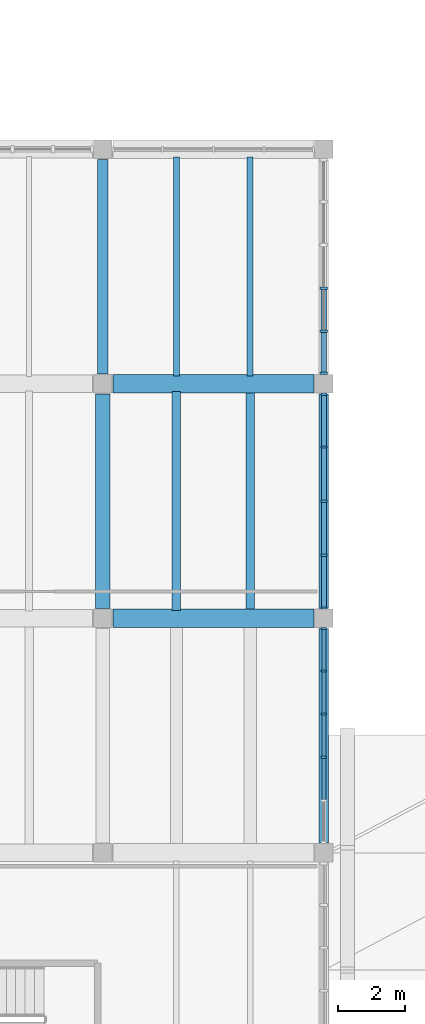
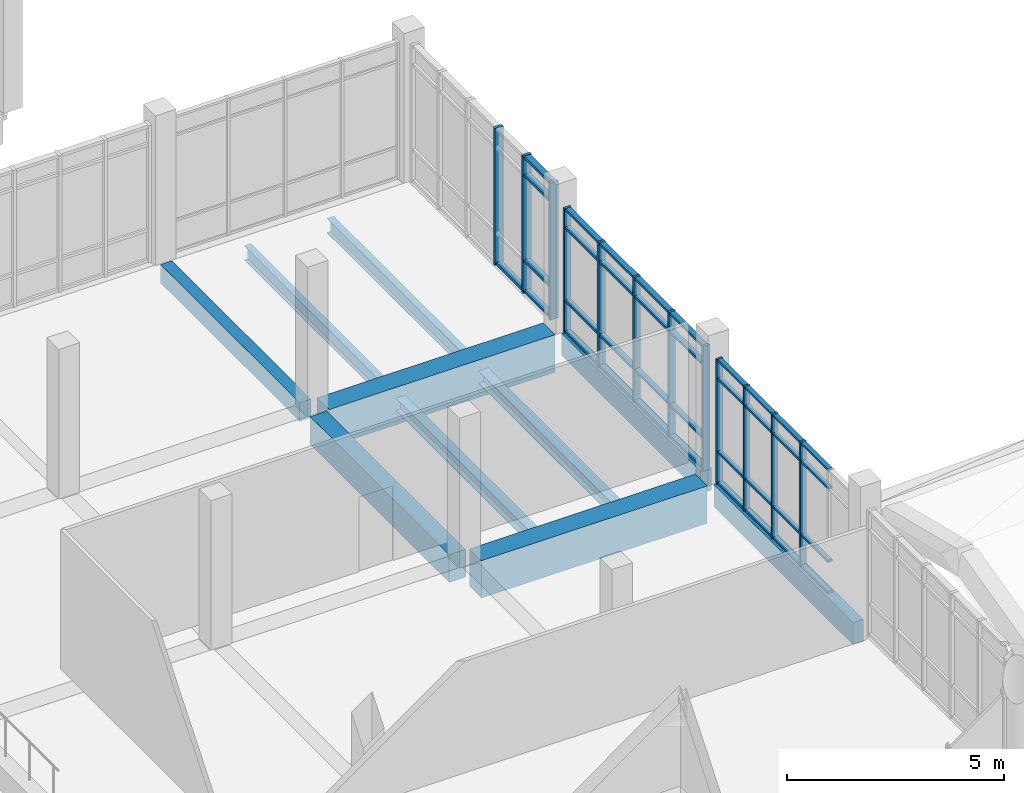
# One storey, part 15 of 65: 49 members, 10 beams, 3 elements without a shape of their own.
"""IFC4 building model written with IfcOpenShell, lengths in metres."""

from ifc_helpers import new_model, si_unit, direction, frame, origin, origin_2d, place, context, subcontext, project, spatial, rectangle, i_section, extrude, material, material_profile, profile_set, type_object, element, aggregate, save


model = new_model("IFC4")

# Units and contexts
model_context = context("Model", 3, precision=1e-05, world=origin(), true_north=direction((0.0, 1.0)))
body_context = subcontext(model_context, "Body", "Model", "MODEL_VIEW")
ifc_project = project(units=[si_unit("LENGTHUNIT", "METRE"), si_unit("AREAUNIT", "SQUARE_METRE"), si_unit("VOLUMEUNIT", "CUBIC_METRE"), si_unit("PLANEANGLEUNIT", "RADIAN"), si_unit("MASSUNIT", "GRAM", prefix="KILO")], contexts=[model_context])

# Site, building, storey
site_placement = place(None, origin())
site = spatial("IfcSite", under=ifc_project, at=site_placement, CompositionType="ELEMENT")
building_placement = place(site_placement, origin())
building = spatial("IfcBuilding", under=site, at=building_placement, Name="Ciguamira Faculty of Natural Sciences", CompositionType="ELEMENT")
storey_placement = place(building_placement, frame((0.0, 0.0, 12.60009765625)))
storey = spatial("IfcBuildingStorey", under=building, at=storey_placement, Name="L03", CompositionType="ELEMENT", Elevation=12.60009765625)

# Curtain wall, members
ifc_material_1 = material(Name="Anodized aluminium curtain wall", Category="aluminium")
curtain_wall_type_1 = type_object("IfcCurtainWallType", Name="CurtainWall_CW-07", PredefinedType="USERDEFINED", material=ifc_material_1)
curtain_wall_1_placement = place(storey_placement, origin())
curtain_wall_1 = element("IfcCurtainWall", 1, at=curtain_wall_1_placement, inside=storey, type_object=curtain_wall_type_1, Name="L03 unitised curtain wall 0103", ObjectType="UNITISED CURTAIN WALL", PredefinedType="USERDEFINED")
ifc_material_2 = material(Name="Anodized aluminium mullion", Category="aluminium")
ifc_material_profile_1 = material_profile(ifc_material_2, rectangle(XDim=0.06005859375, YDim=0.159912109375, at=origin_2d()), Name="ALU-MUL-60X160")
ifc_profile_set_1 = profile_set([ifc_material_profile_1], Name="Anodized aluminium mullion")
member_type_1 = type_object("IfcMemberType", Name="CWMullion_CWM-01", PredefinedType="MULLION", material=ifc_profile_set_1)
member_1_placement = place(storey_placement, frame((123.300048828125, 19.85498046875, 0.0), z_axis=(0.0, 0.0, 1.0), x_axis=(0.0, 1.0, 0.0)))
member_1 = element("IfcMember", 2, at=member_1_placement, type_object=member_type_1, Name="CW-07 mullion 3", PredefinedType="MULLION", context=body_context, shape_type="SweptSolid", body=[
    extrude(rectangle(XDim=0.06005859375, YDim=0.159912109375, at=origin_2d()), origin(), (0.0, 0.0, 1.0), 3.5048828125),
])
member_2_placement = place(storey_placement, frame((123.300048828125, 21.14501953125, 0.0), z_axis=(0.0, 0.0, 1.0), x_axis=(0.0, 1.0, 0.0)))
member_2 = element("IfcMember", 3, at=member_2_placement, type_object=member_type_1, Name="CW-07 mullion 4", PredefinedType="MULLION", context=body_context, shape_type="SweptSolid", body=[
    extrude(rectangle(XDim=0.06005859375, YDim=0.159912109375, at=origin_2d()), origin(), (0.0, 0.0, 1.0), 3.5048828125),
])
member_3_placement = place(storey_placement, frame((123.300048828125, 22.43505859375, 0.0), z_axis=(0.0, 0.0, 1.0), x_axis=(0.0, 1.0, 0.0)))
member_3 = element("IfcMember", 4, at=member_3_placement, type_object=member_type_1, Name="CW-07 mullion 5", PredefinedType="MULLION", context=body_context, shape_type="SweptSolid", body=[
    extrude(rectangle(XDim=0.06005859375, YDim=0.159912109375, at=origin_2d()), origin(), (0.0, 0.0, 1.0), 3.5048828125),
])
member_4_placement = place(storey_placement, frame((123.300048828125, 23.695068359375, 0.0), z_axis=(0.0, 0.0, 1.0), x_axis=(0.0, 1.0, 0.0)))
member_4 = element("IfcMember", 5, at=member_4_placement, type_object=member_type_1, Name="CW-07 mullion 6", PredefinedType="MULLION", context=body_context, shape_type="SweptSolid", body=[
    extrude(rectangle(XDim=0.06005859375, YDim=0.159912109375, at=origin_2d()), origin(), (0.0, 0.0, 1.0), 3.5048828125),
])

curtain_wall_type_2 = type_object("IfcCurtainWallType", Name="CurtainWall_CW-08", PredefinedType="USERDEFINED", material=ifc_material_1)
curtain_wall_2_placement = place(storey_placement, origin())
curtain_wall_2 = element("IfcCurtainWall", 6, at=curtain_wall_2_placement, inside=storey, type_object=curtain_wall_type_2, Name="L03 unitised curtain wall 0104", ObjectType="UNITISED CURTAIN WALL", PredefinedType="USERDEFINED")
ifc_material_profile_2 = material_profile(ifc_material_2, rectangle(XDim=0.070068359375, YDim=0.179931640625, at=origin_2d()), Name="ALU-MUL-70X180")
ifc_profile_set_2 = profile_set([ifc_material_profile_2], Name="Anodized aluminium mullion")
member_type_2 = type_object("IfcMemberType", Name="CWMullion_CWM-02", PredefinedType="MULLION", material=ifc_profile_set_2)
member_5_placement = place(storey_placement, frame((123.300048828125, 24.31005859375, 0.0), z_axis=(0.0, 0.0, 1.0), x_axis=(0.0, 1.0, 0.0)))
member_5 = element("IfcMember", 7, at=member_5_placement, type_object=member_type_2, Name="CW-08 mullion 1", PredefinedType="MULLION", context=body_context, shape_type="SweptSolid", body=[
    extrude(rectangle(XDim=0.070068359375, YDim=0.179931640625, at=origin_2d()), origin(), (0.0, 0.0, 1.0), 3.5048828125),
])
member_6_placement = place(storey_placement, frame((123.300048828125, 25.887451171875, 0.0), z_axis=(0.0, 0.0, 1.0), x_axis=(0.0, 1.0, 0.0)))
member_6 = element("IfcMember", 8, at=member_6_placement, type_object=member_type_2, Name="CW-08 mullion 2", PredefinedType="MULLION", context=body_context, shape_type="SweptSolid", body=[
    extrude(rectangle(XDim=0.070068359375, YDim=0.179931640625, at=origin_2d()), origin(), (0.0, 0.0, 1.0), 3.5048828125),
])
member_7_placement = place(storey_placement, frame((123.300048828125, 27.5, 0.0), z_axis=(0.0, 0.0, 1.0), x_axis=(0.0, 1.0, 0.0)))
member_7 = element("IfcMember", 9, at=member_7_placement, type_object=member_type_2, Name="CW-08 mullion 3", PredefinedType="MULLION", context=body_context, shape_type="SweptSolid", body=[
    extrude(rectangle(XDim=0.070068359375, YDim=0.179931640625, at=origin_2d()), origin(), (0.0, 0.0, 1.0), 3.5048828125),
])
member_8_placement = place(storey_placement, frame((123.300048828125, 29.112548828125, 0.0), z_axis=(0.0, 0.0, 1.0), x_axis=(0.0, 1.0, 0.0)))
member_8 = element("IfcMember", 10, at=member_8_placement, type_object=member_type_2, Name="CW-08 mullion 4", PredefinedType="MULLION", context=body_context, shape_type="SweptSolid", body=[
    extrude(rectangle(XDim=0.070068359375, YDim=0.179931640625, at=origin_2d()), origin(), (0.0, 0.0, 1.0), 3.5048828125),
])
member_9_placement = place(storey_placement, frame((123.300048828125, 30.68994140625, 0.0), z_axis=(0.0, 0.0, 1.0), x_axis=(0.0, 1.0, 0.0)))
member_9 = element("IfcMember", 11, at=member_9_placement, type_object=member_type_2, Name="CW-08 mullion 5", PredefinedType="MULLION", context=body_context, shape_type="SweptSolid", body=[
    extrude(rectangle(XDim=0.070068359375, YDim=0.179931640625, at=origin_2d()), origin(), (0.0, 0.0, 1.0), 3.5048828125),
])

curtain_wall_type_3 = type_object("IfcCurtainWallType", Name="CurtainWall_CW-09", PredefinedType="USERDEFINED", material=ifc_material_1)
curtain_wall_3_placement = place(storey_placement, origin())
curtain_wall_3 = element("IfcCurtainWall", 12, at=curtain_wall_3_placement, inside=storey, type_object=curtain_wall_type_3, Name="L03 unitised curtain wall 0105", ObjectType="UNITISED CURTAIN WALL", PredefinedType="USERDEFINED")
ifc_material_profile_3 = material_profile(ifc_material_2, rectangle(XDim=0.080078125, YDim=0.219970703125, at=origin_2d()), Name="ALU-MUL-80X220")
ifc_profile_set_3 = profile_set([ifc_material_profile_3], Name="Anodized aluminium mullion")
member_type_3 = type_object("IfcMemberType", Name="CWMullion_CWM-03", PredefinedType="MULLION", material=ifc_profile_set_3)
member_10_placement = place(storey_placement, frame((123.300048828125, 31.31494140625, 0.0), z_axis=(0.0, 0.0, 1.0), x_axis=(0.0, 1.0, 0.0)))
member_10 = element("IfcMember", 13, at=member_10_placement, type_object=member_type_3, Name="CW-09 mullion 1", PredefinedType="MULLION", context=body_context, shape_type="SweptSolid", body=[
    extrude(rectangle(XDim=0.080078125, YDim=0.219970703125, at=origin_2d()), origin(), (0.0, 0.0, 1.0), 3.849853515625),
])
member_11_placement = place(storey_placement, frame((123.300048828125, 32.56494140625, 0.0), z_axis=(0.0, 0.0, 1.0), x_axis=(0.0, 1.0, 0.0)))
member_11 = element("IfcMember", 14, at=member_11_placement, type_object=member_type_3, Name="CW-09 mullion 2", PredefinedType="MULLION", context=body_context, shape_type="SweptSolid", body=[
    extrude(rectangle(XDim=0.080078125, YDim=0.219970703125, at=origin_2d()), origin(), (0.0, 0.0, 1.0), 3.849853515625),
])
member_12_placement = place(storey_placement, frame((123.300048828125, 33.85498046875, 0.0), z_axis=(0.0, 0.0, 1.0), x_axis=(0.0, 1.0, 0.0)))
member_12 = element("IfcMember", 15, at=member_12_placement, type_object=member_type_3, Name="CW-09 mullion 3", PredefinedType="MULLION", context=body_context, shape_type="SweptSolid", body=[
    extrude(rectangle(XDim=0.080078125, YDim=0.219970703125, at=origin_2d()), origin(), (0.0, 0.0, 1.0), 3.849853515625),
])

# Member
ifc_material_3 = material(Name="Anodized aluminium transom", Category="aluminium")
ifc_material_profile_4 = material_profile(ifc_material_3, rectangle(XDim=0.06005859375, YDim=0.1201171875, at=origin_2d()), Name="ALU-TRN-60X120")
ifc_profile_set_4 = profile_set([ifc_material_profile_4], Name="Anodized aluminium transom")
member_type_4 = type_object("IfcMemberType", Name="CWTransom_CWT-01", PredefinedType="USERDEFINED", material=ifc_profile_set_4)
member_13_placement = place(storey_placement, frame((123.300048828125, 18.594970703125, 0.02978515625), z_axis=(0.0, 1.0, 0.0), x_axis=(0.0, 0.0, 1.0)))
member_13 = element("IfcMember", 16, at=member_13_placement, type_object=member_type_4, Name="CW-07 transom 2.1", ObjectType="TRANSOM", PredefinedType="USERDEFINED", context=body_context, shape_type="SweptSolid", body=[
    extrude(rectangle(XDim=0.06005859375, YDim=0.1201171875, at=origin_2d()), origin(), (0.0, 0.0, 1.0), 1.22998046875),
])

member_14_placement = place(storey_placement, frame((123.300048828125, 18.594970703125, 0.89990234375), z_axis=(0.0, 1.0, 0.0), x_axis=(0.0, 0.0, 1.0)))
member_14 = element("IfcMember", 17, at=member_14_placement, type_object=member_type_4, Name="CW-07 transom 2.2", ObjectType="TRANSOM", PredefinedType="USERDEFINED", context=body_context, shape_type="SweptSolid", body=[
    extrude(rectangle(XDim=0.06005859375, YDim=0.1201171875, at=origin_2d()), origin(), (0.0, 0.0, 1.0), 1.22998046875),
])

member_15_placement = place(storey_placement, frame((123.300048828125, 18.594970703125, 2.954833984375), z_axis=(0.0, 1.0, 0.0), x_axis=(0.0, 0.0, 1.0)))
member_15 = element("IfcMember", 18, at=member_15_placement, type_object=member_type_4, Name="CW-07 transom 2.3", ObjectType="TRANSOM", PredefinedType="USERDEFINED", context=body_context, shape_type="SweptSolid", body=[
    extrude(rectangle(XDim=0.06005859375, YDim=0.1201171875, at=origin_2d()), origin(), (0.0, 0.0, 1.0), 1.22998046875),
])

member_16_placement = place(storey_placement, frame((123.300048828125, 18.594970703125, 3.474853515625), z_axis=(0.0, 1.0, 0.0), x_axis=(0.0, 0.0, 1.0)))
member_16 = element("IfcMember", 19, at=member_16_placement, type_object=member_type_4, Name="CW-07 transom 2.4", ObjectType="TRANSOM", PredefinedType="USERDEFINED", context=body_context, shape_type="SweptSolid", body=[
    extrude(rectangle(XDim=0.06005859375, YDim=0.1201171875, at=origin_2d()), origin(), (0.0, 0.0, 1.0), 1.22998046875),
])

member_17_placement = place(storey_placement, frame((123.300048828125, 19.885009765625, 0.02978515625), z_axis=(0.0, 1.0, 0.0), x_axis=(0.0, 0.0, 1.0)))
member_17 = element("IfcMember", 20, at=member_17_placement, type_object=member_type_4, Name="CW-07 transom 3.1", ObjectType="TRANSOM", PredefinedType="USERDEFINED", context=body_context, shape_type="SweptSolid", body=[
    extrude(rectangle(XDim=0.06005859375, YDim=0.1201171875, at=origin_2d()), origin(), (0.0, 0.0, 1.0), 1.22998046875),
])

member_18_placement = place(storey_placement, frame((123.300048828125, 19.885009765625, 0.89990234375), z_axis=(0.0, 1.0, 0.0), x_axis=(0.0, 0.0, 1.0)))
member_18 = element("IfcMember", 21, at=member_18_placement, type_object=member_type_4, Name="CW-07 transom 3.2", ObjectType="TRANSOM", PredefinedType="USERDEFINED", context=body_context, shape_type="SweptSolid", body=[
    extrude(rectangle(XDim=0.06005859375, YDim=0.1201171875, at=origin_2d()), origin(), (0.0, 0.0, 1.0), 1.22998046875),
])

member_19_placement = place(storey_placement, frame((123.300048828125, 19.885009765625, 2.954833984375), z_axis=(0.0, 1.0, 0.0), x_axis=(0.0, 0.0, 1.0)))
member_19 = element("IfcMember", 22, at=member_19_placement, type_object=member_type_4, Name="CW-07 transom 3.3", ObjectType="TRANSOM", PredefinedType="USERDEFINED", context=body_context, shape_type="SweptSolid", body=[
    extrude(rectangle(XDim=0.06005859375, YDim=0.1201171875, at=origin_2d()), origin(), (0.0, 0.0, 1.0), 1.22998046875),
])

member_20_placement = place(storey_placement, frame((123.300048828125, 19.885009765625, 3.474853515625), z_axis=(0.0, 1.0, 0.0), x_axis=(0.0, 0.0, 1.0)))
member_20 = element("IfcMember", 23, at=member_20_placement, type_object=member_type_4, Name="CW-07 transom 3.4", ObjectType="TRANSOM", PredefinedType="USERDEFINED", context=body_context, shape_type="SweptSolid", body=[
    extrude(rectangle(XDim=0.06005859375, YDim=0.1201171875, at=origin_2d()), origin(), (0.0, 0.0, 1.0), 1.22998046875),
])

member_21_placement = place(storey_placement, frame((123.300048828125, 21.175048828125, 0.02978515625), z_axis=(0.0, 1.0, 0.0), x_axis=(0.0, 0.0, 1.0)))
member_21 = element("IfcMember", 24, at=member_21_placement, type_object=member_type_4, Name="CW-07 transom 4.1", ObjectType="TRANSOM", PredefinedType="USERDEFINED", context=body_context, shape_type="SweptSolid", body=[
    extrude(rectangle(XDim=0.06005859375, YDim=0.1201171875, at=origin_2d()), origin(), (0.0, 0.0, 1.0), 1.22998046875),
])

member_22_placement = place(storey_placement, frame((123.300048828125, 21.175048828125, 0.89990234375), z_axis=(0.0, 1.0, 0.0), x_axis=(0.0, 0.0, 1.0)))
member_22 = element("IfcMember", 25, at=member_22_placement, type_object=member_type_4, Name="CW-07 transom 4.2", ObjectType="TRANSOM", PredefinedType="USERDEFINED", context=body_context, shape_type="SweptSolid", body=[
    extrude(rectangle(XDim=0.06005859375, YDim=0.1201171875, at=origin_2d()), origin(), (0.0, 0.0, 1.0), 1.22998046875),
])

member_23_placement = place(storey_placement, frame((123.300048828125, 21.175048828125, 2.954833984375), z_axis=(0.0, 1.0, 0.0), x_axis=(0.0, 0.0, 1.0)))
member_23 = element("IfcMember", 26, at=member_23_placement, type_object=member_type_4, Name="CW-07 transom 4.3", ObjectType="TRANSOM", PredefinedType="USERDEFINED", context=body_context, shape_type="SweptSolid", body=[
    extrude(rectangle(XDim=0.06005859375, YDim=0.1201171875, at=origin_2d()), origin(), (0.0, 0.0, 1.0), 1.22998046875),
])

member_24_placement = place(storey_placement, frame((123.300048828125, 21.175048828125, 3.474853515625), z_axis=(0.0, 1.0, 0.0), x_axis=(0.0, 0.0, 1.0)))
member_24 = element("IfcMember", 27, at=member_24_placement, type_object=member_type_4, Name="CW-07 transom 4.4", ObjectType="TRANSOM", PredefinedType="USERDEFINED", context=body_context, shape_type="SweptSolid", body=[
    extrude(rectangle(XDim=0.06005859375, YDim=0.1201171875, at=origin_2d()), origin(), (0.0, 0.0, 1.0), 1.22998046875),
])

member_25_placement = place(storey_placement, frame((123.300048828125, 22.465087890625, 0.02978515625), z_axis=(0.0, 1.0, 0.0), x_axis=(0.0, 0.0, 1.0)))
member_25 = element("IfcMember", 28, at=member_25_placement, type_object=member_type_4, Name="CW-07 transom 5.1", ObjectType="TRANSOM", PredefinedType="USERDEFINED", context=body_context, shape_type="SweptSolid", body=[
    extrude(rectangle(XDim=0.06005859375, YDim=0.1201171875, at=origin_2d()), origin(), (0.0, 0.0, 1.0), 1.199951171875),
])

member_26_placement = place(storey_placement, frame((123.300048828125, 22.465087890625, 0.89990234375), z_axis=(0.0, 1.0, 0.0), x_axis=(0.0, 0.0, 1.0)))
member_26 = element("IfcMember", 29, at=member_26_placement, type_object=member_type_4, Name="CW-07 transom 5.2", ObjectType="TRANSOM", PredefinedType="USERDEFINED", context=body_context, shape_type="SweptSolid", body=[
    extrude(rectangle(XDim=0.06005859375, YDim=0.1201171875, at=origin_2d()), origin(), (0.0, 0.0, 1.0), 1.199951171875),
])

member_27_placement = place(storey_placement, frame((123.300048828125, 22.465087890625, 2.954833984375), z_axis=(0.0, 1.0, 0.0), x_axis=(0.0, 0.0, 1.0)))
member_27 = element("IfcMember", 30, at=member_27_placement, type_object=member_type_4, Name="CW-07 transom 5.3", ObjectType="TRANSOM", PredefinedType="USERDEFINED", context=body_context, shape_type="SweptSolid", body=[
    extrude(rectangle(XDim=0.06005859375, YDim=0.1201171875, at=origin_2d()), origin(), (0.0, 0.0, 1.0), 1.199951171875),
])

member_28_placement = place(storey_placement, frame((123.300048828125, 22.465087890625, 3.474853515625), z_axis=(0.0, 1.0, 0.0), x_axis=(0.0, 0.0, 1.0)))
member_28 = element("IfcMember", 31, at=member_28_placement, type_object=member_type_4, Name="CW-07 transom 5.4", ObjectType="TRANSOM", PredefinedType="USERDEFINED", context=body_context, shape_type="SweptSolid", body=[
    extrude(rectangle(XDim=0.06005859375, YDim=0.1201171875, at=origin_2d()), origin(), (0.0, 0.0, 1.0), 1.199951171875),
])

aggregate(curtain_wall_1, [member_1, member_2, member_3, member_4, member_13, member_14, member_15, member_16, member_17, member_18, member_19, member_20, member_21, member_22, member_23, member_24, member_25, member_26, member_27, member_28])

ifc_material_profile_5 = material_profile(ifc_material_3, rectangle(XDim=0.070068359375, YDim=0.139892578125, at=origin_2d()), Name="ALU-TRN-70X140")
ifc_profile_set_5 = profile_set([ifc_material_profile_5], Name="Anodized aluminium transom")
member_type_5 = type_object("IfcMemberType", Name="CWTransom_CWT-02", PredefinedType="USERDEFINED", material=ifc_profile_set_5)
member_29_placement = place(storey_placement, frame((123.300048828125, 24.344970703125, 0.034912109375), z_axis=(0.0, 1.0, 0.0), x_axis=(0.0, 0.0, 1.0)))
member_29 = element("IfcMember", 32, at=member_29_placement, type_object=member_type_5, Name="CW-08 transom 1.1", ObjectType="TRANSOM", PredefinedType="USERDEFINED", context=body_context, shape_type="SweptSolid", body=[
    extrude(rectangle(XDim=0.070068359375, YDim=0.139892578125, at=origin_2d()), origin(), (0.0, 0.0, 1.0), 1.507568359375),
])

member_30_placement = place(storey_placement, frame((123.300048828125, 24.344970703125, 0.89990234375), z_axis=(0.0, 1.0, 0.0), x_axis=(0.0, 0.0, 1.0)))
member_30 = element("IfcMember", 33, at=member_30_placement, type_object=member_type_5, Name="CW-08 transom 1.2", ObjectType="TRANSOM", PredefinedType="USERDEFINED", context=body_context, shape_type="SweptSolid", body=[
    extrude(rectangle(XDim=0.070068359375, YDim=0.139892578125, at=origin_2d()), origin(), (0.0, 0.0, 1.0), 1.507568359375),
])

member_31_placement = place(storey_placement, frame((123.300048828125, 24.344970703125, 2.954833984375), z_axis=(0.0, 1.0, 0.0), x_axis=(0.0, 0.0, 1.0)))
member_31 = element("IfcMember", 34, at=member_31_placement, type_object=member_type_5, Name="CW-08 transom 1.3", ObjectType="TRANSOM", PredefinedType="USERDEFINED", context=body_context, shape_type="SweptSolid", body=[
    extrude(rectangle(XDim=0.070068359375, YDim=0.139892578125, at=origin_2d()), origin(), (0.0, 0.0, 1.0), 1.507568359375),
])

member_32_placement = place(storey_placement, frame((123.300048828125, 24.344970703125, 3.469970703125), z_axis=(0.0, 1.0, 0.0), x_axis=(0.0, 0.0, 1.0)))
member_32 = element("IfcMember", 35, at=member_32_placement, type_object=member_type_5, Name="CW-08 transom 1.4", ObjectType="TRANSOM", PredefinedType="USERDEFINED", context=body_context, shape_type="SweptSolid", body=[
    extrude(rectangle(XDim=0.070068359375, YDim=0.139892578125, at=origin_2d()), origin(), (0.0, 0.0, 1.0), 1.507568359375),
])

member_33_placement = place(storey_placement, frame((123.300048828125, 25.922607421875, 0.034912109375), z_axis=(0.0, 1.0, 0.0), x_axis=(0.0, 0.0, 1.0)))
member_33 = element("IfcMember", 36, at=member_33_placement, type_object=member_type_5, Name="CW-08 transom 2.1", ObjectType="TRANSOM", PredefinedType="USERDEFINED", context=body_context, shape_type="SweptSolid", body=[
    extrude(rectangle(XDim=0.070068359375, YDim=0.139892578125, at=origin_2d()), origin(), (0.0, 0.0, 1.0), 1.54248046875),
])

member_34_placement = place(storey_placement, frame((123.300048828125, 25.922607421875, 0.89990234375), z_axis=(0.0, 1.0, 0.0), x_axis=(0.0, 0.0, 1.0)))
member_34 = element("IfcMember", 37, at=member_34_placement, type_object=member_type_5, Name="CW-08 transom 2.2", ObjectType="TRANSOM", PredefinedType="USERDEFINED", context=body_context, shape_type="SweptSolid", body=[
    extrude(rectangle(XDim=0.070068359375, YDim=0.139892578125, at=origin_2d()), origin(), (0.0, 0.0, 1.0), 1.54248046875),
])

member_35_placement = place(storey_placement, frame((123.300048828125, 25.922607421875, 2.954833984375), z_axis=(0.0, 1.0, 0.0), x_axis=(0.0, 0.0, 1.0)))
member_35 = element("IfcMember", 38, at=member_35_placement, type_object=member_type_5, Name="CW-08 transom 2.3", ObjectType="TRANSOM", PredefinedType="USERDEFINED", context=body_context, shape_type="SweptSolid", body=[
    extrude(rectangle(XDim=0.070068359375, YDim=0.139892578125, at=origin_2d()), origin(), (0.0, 0.0, 1.0), 1.54248046875),
])

member_36_placement = place(storey_placement, frame((123.300048828125, 25.922607421875, 3.469970703125), z_axis=(0.0, 1.0, 0.0), x_axis=(0.0, 0.0, 1.0)))
member_36 = element("IfcMember", 39, at=member_36_placement, type_object=member_type_5, Name="CW-08 transom 2.4", ObjectType="TRANSOM", PredefinedType="USERDEFINED", context=body_context, shape_type="SweptSolid", body=[
    extrude(rectangle(XDim=0.070068359375, YDim=0.139892578125, at=origin_2d()), origin(), (0.0, 0.0, 1.0), 1.54248046875),
])

member_37_placement = place(storey_placement, frame((123.300048828125, 27.534912109375, 0.034912109375), z_axis=(0.0, 1.0, 0.0), x_axis=(0.0, 0.0, 1.0)))
member_37 = element("IfcMember", 40, at=member_37_placement, type_object=member_type_5, Name="CW-08 transom 3.1", ObjectType="TRANSOM", PredefinedType="USERDEFINED", context=body_context, shape_type="SweptSolid", body=[
    extrude(rectangle(XDim=0.070068359375, YDim=0.139892578125, at=origin_2d()), origin(), (0.0, 0.0, 1.0), 1.54248046875),
])

member_38_placement = place(storey_placement, frame((123.300048828125, 27.534912109375, 0.89990234375), z_axis=(0.0, 1.0, 0.0), x_axis=(0.0, 0.0, 1.0)))
member_38 = element("IfcMember", 41, at=member_38_placement, type_object=member_type_5, Name="CW-08 transom 3.2", ObjectType="TRANSOM", PredefinedType="USERDEFINED", context=body_context, shape_type="SweptSolid", body=[
    extrude(rectangle(XDim=0.070068359375, YDim=0.139892578125, at=origin_2d()), origin(), (0.0, 0.0, 1.0), 1.54248046875),
])

member_39_placement = place(storey_placement, frame((123.300048828125, 27.534912109375, 2.954833984375), z_axis=(0.0, 1.0, 0.0), x_axis=(0.0, 0.0, 1.0)))
member_39 = element("IfcMember", 42, at=member_39_placement, type_object=member_type_5, Name="CW-08 transom 3.3", ObjectType="TRANSOM", PredefinedType="USERDEFINED", context=body_context, shape_type="SweptSolid", body=[
    extrude(rectangle(XDim=0.070068359375, YDim=0.139892578125, at=origin_2d()), origin(), (0.0, 0.0, 1.0), 1.54248046875),
])

member_40_placement = place(storey_placement, frame((123.300048828125, 27.534912109375, 3.469970703125), z_axis=(0.0, 1.0, 0.0), x_axis=(0.0, 0.0, 1.0)))
member_40 = element("IfcMember", 43, at=member_40_placement, type_object=member_type_5, Name="CW-08 transom 3.4", ObjectType="TRANSOM", PredefinedType="USERDEFINED", context=body_context, shape_type="SweptSolid", body=[
    extrude(rectangle(XDim=0.070068359375, YDim=0.139892578125, at=origin_2d()), origin(), (0.0, 0.0, 1.0), 1.54248046875),
])

member_41_placement = place(storey_placement, frame((123.300048828125, 29.1474609375, 0.034912109375), z_axis=(0.0, 1.0, 0.0), x_axis=(0.0, 0.0, 1.0)))
member_41 = element("IfcMember", 44, at=member_41_placement, type_object=member_type_5, Name="CW-08 transom 4.1", ObjectType="TRANSOM", PredefinedType="USERDEFINED", context=body_context, shape_type="SweptSolid", body=[
    extrude(rectangle(XDim=0.070068359375, YDim=0.139892578125, at=origin_2d()), origin(), (0.0, 0.0, 1.0), 1.507568359375),
])

member_42_placement = place(storey_placement, frame((123.300048828125, 29.1474609375, 0.89990234375), z_axis=(0.0, 1.0, 0.0), x_axis=(0.0, 0.0, 1.0)))
member_42 = element("IfcMember", 45, at=member_42_placement, type_object=member_type_5, Name="CW-08 transom 4.2", ObjectType="TRANSOM", PredefinedType="USERDEFINED", context=body_context, shape_type="SweptSolid", body=[
    extrude(rectangle(XDim=0.070068359375, YDim=0.139892578125, at=origin_2d()), origin(), (0.0, 0.0, 1.0), 1.507568359375),
])

member_43_placement = place(storey_placement, frame((123.300048828125, 29.1474609375, 2.954833984375), z_axis=(0.0, 1.0, 0.0), x_axis=(0.0, 0.0, 1.0)))
member_43 = element("IfcMember", 46, at=member_43_placement, type_object=member_type_5, Name="CW-08 transom 4.3", ObjectType="TRANSOM", PredefinedType="USERDEFINED", context=body_context, shape_type="SweptSolid", body=[
    extrude(rectangle(XDim=0.070068359375, YDim=0.139892578125, at=origin_2d()), origin(), (0.0, 0.0, 1.0), 1.507568359375),
])

member_44_placement = place(storey_placement, frame((123.300048828125, 29.1474609375, 3.469970703125), z_axis=(0.0, 1.0, 0.0), x_axis=(0.0, 0.0, 1.0)))
member_44 = element("IfcMember", 47, at=member_44_placement, type_object=member_type_5, Name="CW-08 transom 4.4", ObjectType="TRANSOM", PredefinedType="USERDEFINED", context=body_context, shape_type="SweptSolid", body=[
    extrude(rectangle(XDim=0.070068359375, YDim=0.139892578125, at=origin_2d()), origin(), (0.0, 0.0, 1.0), 1.507568359375),
])

aggregate(curtain_wall_2, [member_5, member_6, member_7, member_8, member_9, member_29, member_30, member_31, member_32, member_33, member_34, member_35, member_36, member_37, member_38, member_39, member_40, member_41, member_42, member_43, member_44])

ifc_material_profile_6 = material_profile(ifc_material_3, rectangle(XDim=0.080078125, YDim=0.159912109375, at=origin_2d()), Name="ALU-TRN-80X160")
ifc_profile_set_6 = profile_set([ifc_material_profile_6], Name="Anodized aluminium transom")
member_type_6 = type_object("IfcMemberType", Name="CWTransom_CWT-03", PredefinedType="USERDEFINED", material=ifc_profile_set_6)
member_45_placement = place(storey_placement, frame((123.300048828125, 31.35498046875, 0.039794921875), z_axis=(0.0, 1.0, 0.0), x_axis=(0.0, 0.0, 1.0)))
member_45 = element("IfcMember", 48, at=member_45_placement, type_object=member_type_6, Name="CW-09 transom 1.1", ObjectType="TRANSOM", PredefinedType="USERDEFINED", context=body_context, shape_type="SweptSolid", body=[
    extrude(rectangle(XDim=0.080078125, YDim=0.159912109375, at=origin_2d()), origin(), (0.0, 0.0, 1.0), 1.169921875),
])

member_46_placement = place(storey_placement, frame((123.300048828125, 31.35498046875, 0.89990234375), z_axis=(0.0, 1.0, 0.0), x_axis=(0.0, 0.0, 1.0)))
member_46 = element("IfcMember", 49, at=member_46_placement, type_object=member_type_6, Name="CW-09 transom 1.2", ObjectType="TRANSOM", PredefinedType="USERDEFINED", context=body_context, shape_type="SweptSolid", body=[
    extrude(rectangle(XDim=0.080078125, YDim=0.159912109375, at=origin_2d()), origin(), (0.0, 0.0, 1.0), 1.169921875),
])

member_47_placement = place(storey_placement, frame((123.300048828125, 31.35498046875, 3.2998046875), z_axis=(0.0, 1.0, 0.0), x_axis=(0.0, 0.0, 1.0)))
member_47 = element("IfcMember", 50, at=member_47_placement, type_object=member_type_6, Name="CW-09 transom 1.3", ObjectType="TRANSOM", PredefinedType="USERDEFINED", context=body_context, shape_type="SweptSolid", body=[
    extrude(rectangle(XDim=0.080078125, YDim=0.159912109375, at=origin_2d()), origin(), (0.0, 0.0, 1.0), 1.169921875),
])

member_48_placement = place(storey_placement, frame((123.300048828125, 31.35498046875, 3.809814453125), z_axis=(0.0, 1.0, 0.0), x_axis=(0.0, 0.0, 1.0)))
member_48 = element("IfcMember", 51, at=member_48_placement, type_object=member_type_6, Name="CW-09 transom 1.4", ObjectType="TRANSOM", PredefinedType="USERDEFINED", context=body_context, shape_type="SweptSolid", body=[
    extrude(rectangle(XDim=0.080078125, YDim=0.159912109375, at=origin_2d()), origin(), (0.0, 0.0, 1.0), 1.169921875),
])

member_49_placement = place(storey_placement, frame((123.300048828125, 32.60498046875, 0.039794921875), z_axis=(0.0, 1.0, 0.0), x_axis=(0.0, 0.0, 1.0)))
member_49 = element("IfcMember", 52, at=member_49_placement, type_object=member_type_6, Name="CW-09 transom 2.1", ObjectType="TRANSOM", PredefinedType="USERDEFINED", context=body_context, shape_type="SweptSolid", body=[
    extrude(rectangle(XDim=0.080078125, YDim=0.159912109375, at=origin_2d()), origin(), (0.0, 0.0, 1.0), 1.2099609375),
])

aggregate(curtain_wall_3, [member_10, member_11, member_12, member_45, member_46, member_47, member_48, member_49])

# Beams
ifc_material_4 = material(Name="Concrete C40/50", Category="concrete")
ifc_material_profile_7 = material_profile(ifc_material_4, rectangle(XDim=0.550048828125, YDim=1.050048828125, at=origin_2d()), Name="RC-BM-550X1050")
ifc_profile_set_7 = profile_set([ifc_material_profile_7], Name="Concrete C40/50")
beam_type_1 = type_object("IfcBeamType", Name="RCBeam_BG-01_RC-BM-550X1050", PredefinedType="BEAM", material=ifc_profile_set_7)
for number, where, z_axis, x_axis, name in (
    (53, (117.0, 24.0, -0.525146484375), (1.0, 0.0, 0.0), (0.0, 1.0, 0.0), "L03 RC girder EW-1068"),
    (54, (117.0, 31.0, -0.525146484375), (1.0, 0.0, 0.0), (0.0, 1.0, 0.0), "L03 RC girder EW-1079"),
):
    element("IfcBeam", number, at=place(storey_placement, frame(where, z_axis=z_axis, x_axis=x_axis)), inside=storey, type_object=beam_type_1, Name=name, PredefinedType="BEAM", context=body_context, shape_type="SweptSolid", body=[
        extrude(rectangle(XDim=0.550048828125, YDim=1.050048828125, at=origin_2d()), origin(), (0.0, 0.0, 1.0), 6.0),
    ])
ifc_material_profile_8 = material_profile(ifc_material_4, rectangle(XDim=0.43994140625, YDim=0.780029296875, at=origin_2d()), Name="RC-BM-440X780")
ifc_profile_set_8 = profile_set([ifc_material_profile_8], Name="Concrete C40/50")
beam_type_2 = type_object("IfcBeamType", Name="RCBeam_BG-06_RC-BM-440X780", PredefinedType="BEAM", material=ifc_profile_set_8)
beam_1_placement = place(storey_placement, frame((116.699951171875, 24.300048828125, -0.39013671875), z_axis=(0.0, 1.0, 0.0), x_axis=(-1.0, 0.0, 0.0)))
element("IfcBeam", 55, at=beam_1_placement, inside=storey, type_object=beam_type_2, Name="L03 girder NS-1308", PredefinedType="BEAM", context=body_context, shape_type="SweptSolid", body=[
    extrude(rectangle(XDim=0.43994140625, YDim=0.780029296875, at=origin_2d()), origin(), (0.0, 0.0, 1.0), 6.39990234375),
])
ifc_material_profile_9 = material_profile(ifc_material_4, rectangle(XDim=0.300048828125, YDim=0.52001953125, at=origin_2d()), Name="RC-BM-300X520")
ifc_profile_set_9 = profile_set([ifc_material_profile_9], Name="Concrete C40/50")
beam_type_3 = type_object("IfcBeamType", Name="RCBeam_BG-13_RC-BM-300X520", PredefinedType="BEAM", material=ifc_profile_set_9)
beam_2_placement = place(storey_placement, frame((116.699951171875, 31.300048828125, -0.260009765625), z_axis=(0.0, 1.0, 0.0), x_axis=(-1.0, 0.0, 0.0)))
element("IfcBeam", 56, at=beam_2_placement, inside=storey, type_object=beam_type_3, Name="L03 girder NS-1309", PredefinedType="BEAM", context=body_context, shape_type="SweptSolid", body=[
    extrude(rectangle(XDim=0.300048828125, YDim=0.52001953125, at=origin_2d()), origin(), (0.0, 0.0, 1.0), 6.39990234375),
])
ifc_material_5 = material(Name="Precast concrete C40/50", Category="concrete")
ifc_material_profile_10 = material_profile(ifc_material_5, rectangle(XDim=0.280029296875, YDim=0.6201171875, at=origin_2d()), Name="RC-SP-280X620")
ifc_profile_set_10 = profile_set([ifc_material_profile_10], Name="Precast concrete C40/50")
beam_type_4 = type_object("IfcBeamType", Name="RCBeam_SP-01_RC-SP-280X620", PredefinedType="SPANDREL", material=ifc_profile_set_10)
for number, where, z_axis, x_axis, name in (
    (57, (123.300048828125, 17.300048828125, -0.31005859375), (0.0, 1.0, 0.0), (-1.0, 0.0, 0.0), "L03 girder NS-1320"),
    (58, (123.300048828125, 24.300048828125, -0.31005859375), (0.0, 1.0, 0.0), (-1.0, 0.0, 0.0), "L03 girder NS-1321"),
):
    element("IfcBeam", number, at=place(storey_placement, frame(where, z_axis=z_axis, x_axis=x_axis)), inside=storey, type_object=beam_type_4, Name=name, PredefinedType="SPANDREL", context=body_context, shape_type="SweptSolid", body=[
        extrude(rectangle(XDim=0.280029296875, YDim=0.6201171875, at=origin_2d()), origin(), (0.0, 0.0, 1.0), 6.39990234375),
    ])
ifc_material_6 = material(Name="Steel ASTM A992 Grade 50", Category="steel")
ifc_material_profile_11 = material_profile(ifc_material_6, i_section(OverallWidth=0.25390625, OverallDepth=0.355712890625, WebThickness=0.010498046875, FlangeThickness=0.018310546875, at=origin_2d()), Name="W14X68")
ifc_profile_set_11 = profile_set([ifc_material_profile_11], Name="Steel ASTM A992 Grade 50")
beam_type_5 = type_object("IfcBeamType", Name="SteelJoist_SJ-14_W14X68", PredefinedType="JOIST", material=ifc_profile_set_11)
beam_3_placement = place(storey_placement, frame((118.89990234375, 24.235107421875, -0.477783203125), z_axis=(0.0, 1.0, 0.0), x_axis=(-1.0, 0.0, 0.0)))
element("IfcBeam", 59, at=beam_3_placement, inside=storey, type_object=beam_type_5, Name="L03 composite steel joist 01265", PredefinedType="JOIST", context=body_context, shape_type="SweptSolid", body=[
    extrude(i_section(OverallWidth=0.25390625, OverallDepth=0.355712890625, WebThickness=0.010498046875, FlangeThickness=0.018310546875, at=origin_2d()), origin(), (0.0, 0.0, 1.0), 6.52978515625),
])
ifc_material_profile_12 = material_profile(ifc_material_6, i_section(OverallWidth=0.256591796875, OverallDepth=0.36328125, WebThickness=0.012939453125, FlangeThickness=0.021728515625, at=origin_2d()), Name="W14X82")
ifc_profile_set_12 = profile_set([ifc_material_profile_12], Name="Steel ASTM A992 Grade 50")
beam_type_6 = type_object("IfcBeamType", Name="SteelJoist_SJ-15_W14X82", PredefinedType="JOIST", material=ifc_profile_set_12)
beam_4_placement = place(storey_placement, frame((121.10009765625, 24.235107421875, -0.481689453125), z_axis=(0.0, 1.0, 0.0), x_axis=(-1.0, 0.0, 0.0)))
element("IfcBeam", 60, at=beam_4_placement, inside=storey, type_object=beam_type_6, Name="L03 composite steel joist 01266", PredefinedType="JOIST", context=body_context, shape_type="SweptSolid", body=[
    extrude(i_section(OverallWidth=0.256591796875, OverallDepth=0.36328125, WebThickness=0.012939453125, FlangeThickness=0.021728515625, at=origin_2d()), origin(), (0.0, 0.0, 1.0), 6.52978515625),
])
ifc_material_profile_13 = material_profile(ifc_material_6, i_section(OverallWidth=0.1787109375, OverallDepth=0.408935546875, WebThickness=0.0087890625, FlangeThickness=0.014404296875, at=origin_2d()), Name="W16X45")
ifc_profile_set_13 = profile_set([ifc_material_profile_13], Name="Steel ASTM A992 Grade 50")
beam_type_7 = type_object("IfcBeamType", Name="SteelJoist_SJ-19_W16X45", PredefinedType="JOIST", material=ifc_profile_set_13)
beam_5_placement = place(storey_placement, frame((118.89990234375, 31.235107421875, -0.504638671875), z_axis=(0.0, 1.0, 0.0), x_axis=(-1.0, 0.0, 0.0)))
element("IfcBeam", 61, at=beam_5_placement, inside=storey, type_object=beam_type_7, Name="L03 composite steel joist 01267", PredefinedType="JOIST", context=body_context, shape_type="SweptSolid", body=[
    extrude(i_section(OverallWidth=0.1787109375, OverallDepth=0.408935546875, WebThickness=0.0087890625, FlangeThickness=0.014404296875, at=origin_2d()), origin(), (0.0, 0.0, 1.0), 6.52978515625),
])
ifc_material_profile_14 = material_profile(ifc_material_6, i_section(OverallWidth=0.180908203125, OverallDepth=0.41650390625, WebThickness=0.010986328125, FlangeThickness=0.01806640625, at=origin_2d()), Name="W16X57")
ifc_profile_set_14 = profile_set([ifc_material_profile_14], Name="Steel ASTM A992 Grade 50")
beam_type_8 = type_object("IfcBeamType", Name="SteelJoist_SJ-20_W16X57", PredefinedType="JOIST", material=ifc_profile_set_14)
beam_6_placement = place(storey_placement, frame((121.10009765625, 31.235107421875, -0.50830078125), z_axis=(0.0, 1.0, 0.0), x_axis=(-1.0, 0.0, 0.0)))
element("IfcBeam", 62, at=beam_6_placement, inside=storey, type_object=beam_type_8, Name="L03 composite steel joist 01268", PredefinedType="JOIST", context=body_context, shape_type="SweptSolid", body=[
    extrude(i_section(OverallWidth=0.180908203125, OverallDepth=0.41650390625, WebThickness=0.010986328125, FlangeThickness=0.01806640625, at=origin_2d()), origin(), (0.0, 0.0, 1.0), 6.52978515625),
])

save(model, "model.ifc")
